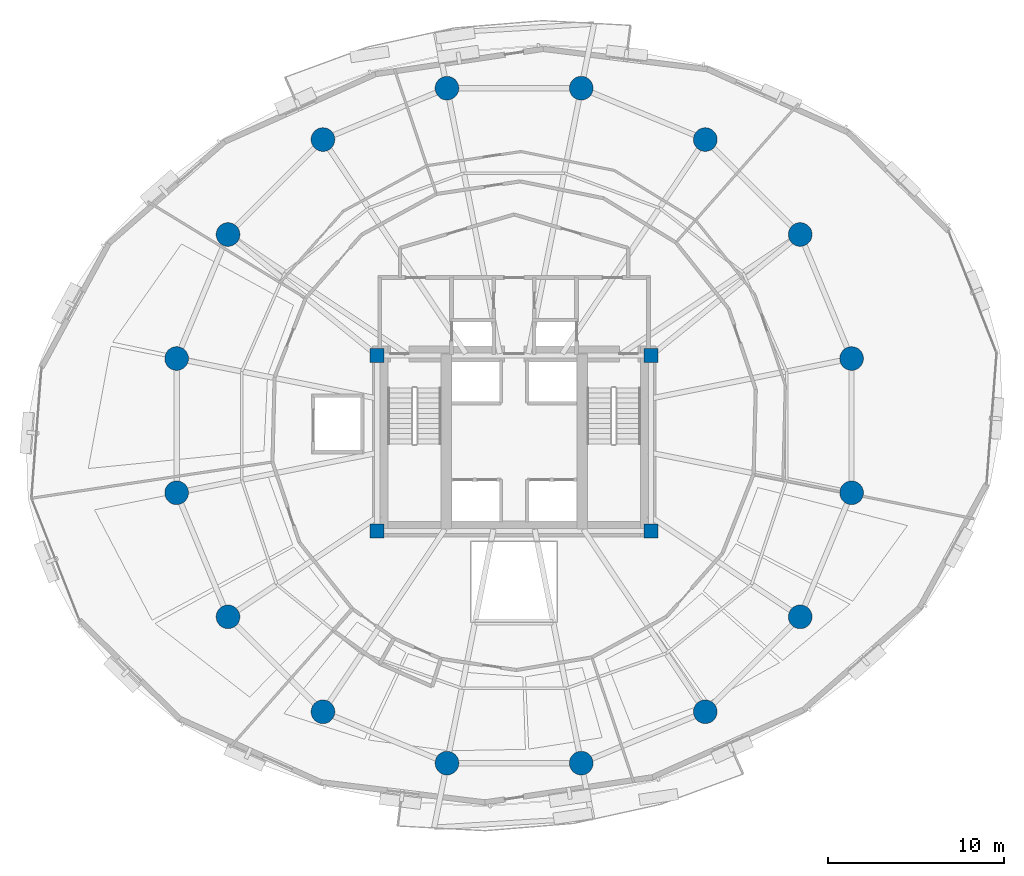
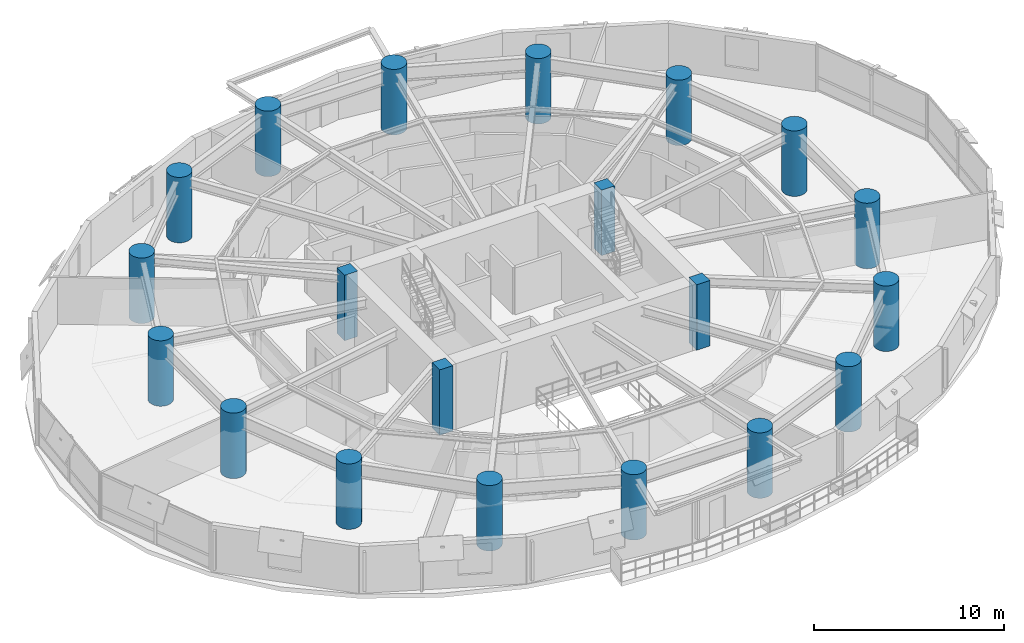
# One storey, part 1 of 17: 20 columns.
"""IFC4 building model written with IfcOpenShell, lengths in metres."""

from ifc_helpers import new_model, si_unit, direction, frame, origin, origin_2d, place, context, subcontext, project, spatial, rectangle, circle, extrude, material, material_profile, profile_set, type_object, element, save


model = new_model("IFC4")

# Units and contexts
model_context = context("Model", 3, precision=1e-05, world=origin(), true_north=direction((0.0, 1.0)))
body_context = subcontext(model_context, "Body", "Model", "MODEL_VIEW")
ifc_project = project(units=[si_unit("LENGTHUNIT", "METRE"), si_unit("AREAUNIT", "SQUARE_METRE"), si_unit("VOLUMEUNIT", "CUBIC_METRE"), si_unit("PLANEANGLEUNIT", "RADIAN"), si_unit("MASSUNIT", "GRAM", prefix="KILO"), si_unit("THERMODYNAMICTEMPERATUREUNIT", "KELVIN"), si_unit("POWERUNIT", "WATT")], contexts=[model_context])

# Site, building, storey
site_placement = place(None, origin())
site = spatial("IfcSite", under=ifc_project, at=site_placement, CompositionType="ELEMENT")
building_placement = place(site_placement, origin())
building = spatial("IfcBuilding", under=site, at=building_placement, Name="Ocrelia Relay Tower", CompositionType="ELEMENT")
storey_placement = place(building_placement, frame((0.0, 0.0, 67.800048828125)))
storey = spatial("IfcBuildingStorey", under=building, at=storey_placement, Name="L15", CompositionType="ELEMENT", Elevation=67.800048828125)

# Columns
ifc_material_1 = material(Name="Concrete C70/85", Category="concrete")
ifc_material_profile_1 = material_profile(ifc_material_1, circle(Radius=0.675048828125, at=origin_2d()), Name="RC-CIR-1350")
ifc_profile_set_1 = profile_set([ifc_material_profile_1], Name="Concrete C70/85")
column_type_1 = type_object("IfcColumnType", Name="COL-CT-1350", PredefinedType="COLUMN", material=ifc_profile_set_1)
for number, where, z_axis, x_axis, name in (
    (1, (53.223388671875, 29.82373046875, 0.0), (0.0, 0.0, 1.0), (1.0, 0.0, 0.0), "L15 Perimeter Ring Column C01"),
    (2, (50.296875, 36.88916015625, 0.0), (0.0, 0.0, 1.0), (1.0, 0.0, 0.0), "L15 Perimeter Ring Column C02"),
    (3, (44.88916015625, 42.296875, 0.0), (0.0, 0.0, 1.0), (1.0, 0.0, 0.0), "L15 Perimeter Ring Column C03"),
    (4, (37.82373046875, 45.223388671875, 0.0), (0.0, 0.0, 1.0), (1.0, 0.0, 0.0), "L15 Perimeter Ring Column C04"),
    (5, (30.17626953125, 45.223388671875, 0.0), (0.0, 0.0, 1.0), (1.0, 0.0, 0.0), "L15 Perimeter Ring Column C05"),
    (6, (23.11083984375, 42.296875, 0.0), (0.0, 0.0, 1.0), (1.0, 0.0, 0.0), "L15 Perimeter Ring Column C06"),
    (7, (17.703125, 36.88916015625, 0.0), (0.0, 0.0, 1.0), (1.0, 0.0, 0.0), "L15 Perimeter Ring Column C07"),
    (8, (14.776611328125, 29.82373046875, 0.0), (0.0, 0.0, 1.0), (1.0, 0.0, 0.0), "L15 Perimeter Ring Column C08"),
    (9, (14.776611328125, 22.17626953125, 0.0), (0.0, 0.0, 1.0), (1.0, 0.0, 0.0), "L15 Perimeter Ring Column C09"),
    (10, (17.703125, 15.11083984375, 0.0), (0.0, 0.0, 1.0), (1.0, 0.0, 0.0), "L15 Perimeter Ring Column C10"),
    (11, (23.11083984375, 9.703125, 0.0), (0.0, 0.0, 1.0), (1.0, 0.0, 0.0), "L15 Perimeter Ring Column C11"),
    (12, (30.17626953125, 6.776611328125, 0.0), (0.0, 0.0, 1.0), (1.0, 0.0, 0.0), "L15 Perimeter Ring Column C12"),
    (13, (37.82373046875, 6.776611328125, 0.0), (0.0, 0.0, 1.0), (1.0, 0.0, 0.0), "L15 Perimeter Ring Column C13"),
    (14, (44.88916015625, 9.703125, 0.0), (0.0, 0.0, 1.0), (1.0, 0.0, 0.0), "L15 Perimeter Ring Column C14"),
    (15, (50.296875, 15.11083984375, 0.0), (0.0, 0.0, 1.0), (1.0, 0.0, 0.0), "L15 Perimeter Ring Column C15"),
    (16, (53.223388671875, 22.17626953125, 0.0), (0.0, 0.0, 1.0), (1.0, 0.0, 0.0), "L15 Perimeter Ring Column C16"),
):
    element("IfcColumn", number, at=place(storey_placement, frame(where, z_axis=z_axis, x_axis=x_axis)), inside=storey, type_object=column_type_1, Name=name, PredefinedType="COLUMN", context=body_context, shape_type="SweptSolid", body=[
        extrude(circle(Radius=0.675048828125, at=origin_2d()), origin(), (0.0, 0.0, 1.0), 4.199951171875),
    ])
ifc_material_2 = material(Name="Concrete C60/75", Category="concrete")
ifc_material_profile_2 = material_profile(ifc_material_2, rectangle(XDim=0.800048828125, YDim=0.800048828125, at=origin_2d()), Name="RC-COL-800x800")
ifc_profile_set_2 = profile_set([ifc_material_profile_2], Name="Concrete C60/75")
column_type_2 = type_object("IfcColumnType", Name="COL-PILASTER-800", PredefinedType="PILASTER", material=ifc_profile_set_2)
for number, where, z_axis, x_axis, name in (
    (17, (26.199951171875, 20.0, 0.0), (0.0, 0.0, 1.0), (1.0, 0.0, 0.0), "L15 Core Corner Pilaster SW"),
    (18, (41.800048828125, 20.0, 0.0), (0.0, 0.0, 1.0), (1.0, 0.0, 0.0), "L15 Core Corner Pilaster SE"),
    (19, (26.199951171875, 30.0, 0.0), (0.0, 0.0, 1.0), (1.0, 0.0, 0.0), "L15 Core Corner Pilaster NW"),
    (20, (41.800048828125, 30.0, 0.0), (0.0, 0.0, 1.0), (1.0, 0.0, 0.0), "L15 Core Corner Pilaster NE"),
):
    element("IfcColumn", number, at=place(storey_placement, frame(where, z_axis=z_axis, x_axis=x_axis)), inside=storey, type_object=column_type_2, Name=name, PredefinedType="PILASTER", context=body_context, shape_type="SweptSolid", body=[
        extrude(rectangle(XDim=0.800048828125, YDim=0.800048828125, at=origin_2d()), origin(), (0.0, 0.0, 1.0), 4.199951171875),
    ])

save(model, "model.ifc")
